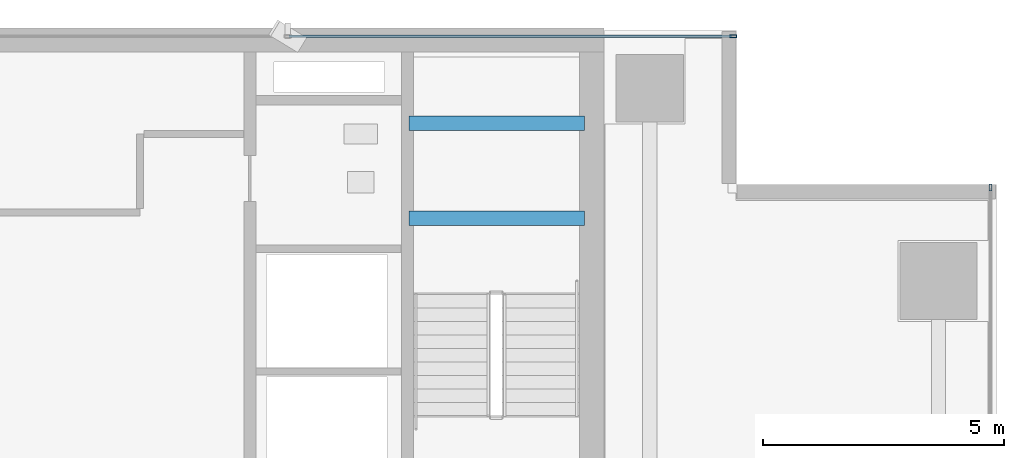
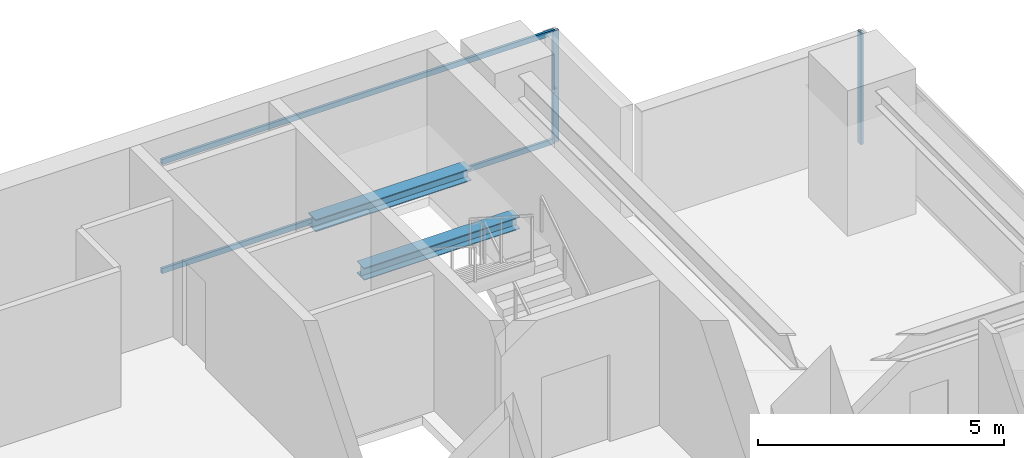
# One storey, part 22 of 30: 4 members, 2 beams, 2 elements without a shape of their own.
"""IFC4 building model written with IfcOpenShell, lengths in metres."""

import ifcopenshell
import ifcopenshell.guid

model = None  # the IFC model being written
_history = None  # IfcOwnerHistory: only IFC2X3 demands one
_inside = {}  # id of a spatial element -> (the spatial element, [elements in it])
_under = {}  # id of a project, library or spatial element -> (it, [spatial elements below it])
_declared = {}  # id of a project -> (the project, [libraries it declares])
_typed = {}  # id of a type object -> (the type object, [elements of that type])
_made_of = {}  # id of a material, layer set ... -> (it, [elements and type objects made of it])


def new_model(schema):
    """Start an empty IFC model of exactly this schema.

    Asked for "IFC4X3", IfcOpenShell would pick the latest addendum, in which some entities
    have other attributes; the version numbers below select the first issue.
    IFC2X3 requires an IfcOwnerHistory on every rooted entity: one is made here for all.
    """
    global model, _history
    if schema == "IFC4X3":
        model = ifcopenshell.file(schema_version=(4, 3, 0, 0))
    else:
        model = ifcopenshell.file(schema=schema)
    _inside.clear()
    _under.clear()
    _declared.clear()
    _typed.clear()
    _made_of.clear()
    _history = None
    if model.schema == "IFC2X3":
        org = make("IfcOrganization", Name="unknown")
        user = make(
            "IfcPersonAndOrganization",
            ThePerson=make("IfcPerson", FamilyName="unknown"),
            TheOrganization=org,
        )
        app = make(
            "IfcApplication",
            ApplicationDeveloper=org,
            Version="unknown",
            ApplicationFullName="unknown",
            ApplicationIdentifier="unknown",
        )
        _history = make(
            "IfcOwnerHistory",
            OwningUser=user,
            OwningApplication=app,
            ChangeAction="ADDED",
            CreationDate=0,
        )
    return model


def make(cls, **values):
    """One entity of the class cls with the attributes given. An attribute that is None is left unset."""
    return model.create_entity(
        cls, **{name: value for name, value in values.items() if value is not None}
    )


def rooted(cls, **values):
    """An entity with a GlobalId (a new one), such as an element, a storey or a relation."""
    return make(cls, GlobalId=ifcopenshell.guid.new(), OwnerHistory=_history, **values)


def si_unit(unit_type, name, prefix=None):
    """IfcSIUnit, for example si_unit("LENGTHUNIT", "METRE", prefix="MILLI")."""
    return make("IfcSIUnit", UnitType=unit_type, Prefix=prefix, Name=name)


def assignment(units):
    """IfcUnitAssignment: the units of a project."""
    return None if units is None else make("IfcUnitAssignment", Units=units)


def point(xyz):
    """IfcCartesianPoint."""
    return None if xyz is None else make("IfcCartesianPoint", Coordinates=xyz)


def direction(xyz):
    """IfcDirection."""
    return None if xyz is None else make("IfcDirection", DirectionRatios=xyz)


def frame(location, z_axis=None, x_axis=None):
    """IfcAxis2Placement3D, a coordinate frame: its origin and axes. An axis left out is left unset."""
    return make(
        "IfcAxis2Placement3D",
        Location=point(location),
        Axis=direction(z_axis),
        RefDirection=direction(x_axis),
    )


def frame_2d(location, x_axis=None):
    """IfcAxis2Placement2D, a coordinate frame in the plane: its origin and x axis."""
    return make(
        "IfcAxis2Placement2D", Location=point(location), RefDirection=direction(x_axis)
    )


def origin():
    """The frame at (0, 0, 0) with its axes left unset."""
    return frame((0.0, 0.0, 0.0))


def origin_2d():
    """The frame at (0, 0) in the plane with its x axis left unset."""
    return frame_2d((0.0, 0.0))


def place(relative_to, where):
    """IfcLocalPlacement: puts the frame where relative to a parent placement (None: the world)."""
    return make(
        "IfcLocalPlacement", PlacementRelTo=relative_to, RelativePlacement=where
    )


def context(
    kind, dimensions, precision=None, world=None, true_north=None, identifier=None
):
    """IfcGeometricRepresentationContext, for example the 3D "Model" context."""
    return make(
        "IfcGeometricRepresentationContext",
        ContextIdentifier=identifier,
        ContextType=kind,
        CoordinateSpaceDimension=dimensions,
        Precision=precision,
        WorldCoordinateSystem=world,
        TrueNorth=true_north,
    )


def subcontext(parent, identifier, kind, view, scale=None):
    """IfcGeometricRepresentationSubContext, for example "Body" below "Model"."""
    return make(
        "IfcGeometricRepresentationSubContext",
        ContextIdentifier=identifier,
        ContextType=kind,
        ParentContext=parent,
        TargetScale=scale,
        TargetView=view,
    )


def project(units=None, contexts=None):
    """IfcProject with its units and contexts."""
    return rooted(
        "IfcProject",
        Name="project",
        RepresentationContexts=contexts,
        UnitsInContext=assignment(units),
    )


def spatial(cls, under=None, at=None, **own):
    """A site, building, storey or space (cls), placed at a placement, below another one or the project."""
    s = rooted(cls, ObjectPlacement=at, **own)
    if under is not None:
        _under.setdefault(under.id(), (under, []))[1].append(s)
    return s


def profile(cls, at=None, kind="AREA", **sizes):
    """A parametric profile (cls). Its sizes go by their IFC names, for example OverallWidth=200.0."""
    return make(cls, ProfileType=kind, Position=at, **sizes)


def hollow_rectangle(**sizes):
    """IfcRectangleHollowProfileDef."""
    return profile("IfcRectangleHollowProfileDef", **sizes)


def i_section(**sizes):
    """IfcIShapeProfileDef."""
    return profile("IfcIShapeProfileDef", **sizes)


def extrude(swept, where, along, depth):
    """IfcExtrudedAreaSolid: the profile swept, set in the frame where, extruded along a direction by depth."""
    return make(
        "IfcExtrudedAreaSolid",
        SweptArea=swept,
        Position=where,
        ExtrudedDirection=direction(along),
        Depth=depth,
    )


def shape(context_of_items, identifier, shape_type, items):
    """IfcShapeRepresentation: the items that make up one representation, for example the "Body"."""
    return make(
        "IfcShapeRepresentation",
        ContextOfItems=context_of_items,
        RepresentationIdentifier=identifier,
        RepresentationType=shape_type,
        Items=items,
    )


def source(mapping_origin, context_of_items, identifier, shape_type, items):
    """IfcRepresentationMap: a shape defined once, which mapped items show again and again."""
    return make(
        "IfcRepresentationMap",
        MappingOrigin=mapping_origin,
        MappedRepresentation=shape(context_of_items, identifier, shape_type, items),
    )


def transform(
    local_origin,
    x_axis=None,
    y_axis=None,
    z_axis=None,
    scale=None,
    scale2=None,
    scale3=None,
    uniform=True,
):
    """IfcCartesianTransformationOperator3D, or its non-uniform kind. x_axis, y_axis, z_axis: its Axis1, 2, 3."""
    if uniform:
        return make(
            "IfcCartesianTransformationOperator3D",
            Axis1=direction(x_axis),
            Axis2=direction(y_axis),
            LocalOrigin=point(local_origin),
            Scale=scale,
            Axis3=direction(z_axis),
        )
    return make(
        "IfcCartesianTransformationOperator3DnonUniform",
        Axis1=direction(x_axis),
        Axis2=direction(y_axis),
        LocalOrigin=point(local_origin),
        Scale=scale,
        Axis3=direction(z_axis),
        Scale2=scale2,
        Scale3=scale3,
    )


def mapped(mapping_source, mapping_target):
    """IfcMappedItem: shows the shape of a source again, moved by a transform."""
    return make(
        "IfcMappedItem", MappingSource=mapping_source, MappingTarget=mapping_target
    )


def material(Name=None, Category=None):
    """IfcMaterial."""
    return make("IfcMaterial", Name=Name, Category=Category)


def layer(
    of_material, thickness, ventilated=None, Name=None, Category=None, Priority=None
):
    """IfcMaterialLayer: one layer of a wall or slab, of a material (None: an air gap)."""
    return make(
        "IfcMaterialLayer",
        Material=of_material,
        LayerThickness=thickness,
        IsVentilated=ventilated,
        Name=Name,
        Category=Category,
        Priority=Priority,
    )


def layer_set(layers, Name=None):
    """IfcMaterialLayerSet."""
    return make("IfcMaterialLayerSet", MaterialLayers=layers, LayerSetName=Name)


def material_profile(
    of_material, cross_section, Name=None, Category=None, Priority=None
):
    """IfcMaterialProfile: a cross section and its material."""
    return make(
        "IfcMaterialProfile",
        Name=Name,
        Material=of_material,
        Profile=cross_section,
        Priority=Priority,
        Category=Category,
    )


def profile_set(profiles, Name=None, composite=None):
    """IfcMaterialProfileSet."""
    return make(
        "IfcMaterialProfileSet",
        Name=Name,
        MaterialProfiles=profiles,
        CompositeProfile=composite,
    )


def made_of(thing, what):
    """Note that an element or type object is made of a material, layer set ...; save() writes the relation."""
    if what is not None:
        _made_of.setdefault(what.id(), (what, []))[1].append(thing)
    return thing


def type_object(cls, material=None, **own):
    """A type object (cls), such as IfcWallType, which elements share."""
    return made_of(rooted(cls, **own), material)


def element(
    cls,
    number,
    at=None,
    inside=None,
    cuts=None,
    type_object=None,
    material=None,
    context=None,
    identifier="Body",
    shape_type=None,
    held_by="IfcProductDefinitionShape",
    body=None,
    shapes=None,
    **own,
):
    """One element of the class cls, such as IfcWall. Its Tag is "e" and its number.

    at: its placement. inside: the storey or other place that contains it. cuts: it is an
    opening in that element (IfcRelVoidsElement). A single representation is given by context,
    identifier, shape_type and body (its items); several are given by shapes. held_by: the class
    of the entity that holds the representations. save() writes the other relations.
    """
    e = rooted(cls, Tag="e%d" % number, ObjectPlacement=at, **own)
    if body is not None:
        shapes = [shape(context, identifier, shape_type, body)]
    if shapes is not None:
        e.Representation = make(held_by, Representations=shapes)
    if inside is not None:
        _inside.setdefault(inside.id(), (inside, []))[1].append(e)
    if cuts is not None:
        rooted(
            "IfcRelVoidsElement", RelatingBuildingElement=cuts, RelatedOpeningElement=e
        )
    if type_object is not None:
        _typed.setdefault(type_object.id(), (type_object, []))[1].append(e)
    return made_of(e, material)


def aggregate(whole, parts):
    """IfcRelAggregates: a whole, such as a stair, and the parts it consists of."""
    return rooted("IfcRelAggregates", RelatingObject=whole, RelatedObjects=parts)


def save(model, path):
    """Write the relations noted so far, then the file.

    IfcRelAggregates (storeys below a building ...), IfcRelContainedInSpatialStructure (elements
    in a storey), IfcRelDefinesByType, IfcRelAssociatesMaterial and IfcRelDeclares: one each for
    every whole, place, type object, material and project.
    """
    for whole, parts in _under.values():
        aggregate(whole, parts)
    for where, things in _inside.values():
        rooted(
            "IfcRelContainedInSpatialStructure",
            RelatedElements=things,
            RelatingStructure=where,
        )
    for kind, things in _typed.values():
        rooted("IfcRelDefinesByType", RelatedObjects=things, RelatingType=kind)
    for what, things in _made_of.values():
        rooted("IfcRelAssociatesMaterial", RelatedObjects=things, RelatingMaterial=what)
    for by, libraries in _declared.values():
        rooted("IfcRelDeclares", RelatingContext=by, RelatedDefinitions=libraries)
    model.write(path)


model = new_model("IFC4")

# Units and contexts
model_context = context("Model", 3, precision=1e-05, world=origin(), true_north=direction((0.0, 1.0)))
body_context = subcontext(model_context, "Body", "Model", "MODEL_VIEW")
ifc_project = project(units=[si_unit("LENGTHUNIT", "METRE"), si_unit("AREAUNIT", "SQUARE_METRE"), si_unit("VOLUMEUNIT", "CUBIC_METRE"), si_unit("PLANEANGLEUNIT", "RADIAN"), si_unit("MASSUNIT", "GRAM", prefix="KILO")], contexts=[model_context])

# Site, building, storey
site_placement = place(None, origin())
site = spatial("IfcSite", under=ifc_project, at=site_placement, CompositionType="ELEMENT")
building_placement = place(site_placement, origin())
building = spatial("IfcBuilding", under=site, at=building_placement, Name="Sumidabori Civic Tower", CompositionType="ELEMENT")
storey_placement = place(building_placement, frame((0.0, 0.0, 200.0)))
storey = spatial("IfcBuildingStorey", under=building, at=storey_placement, Name="L51", CompositionType="ELEMENT", Elevation=200.0)

# Beams
ifc_material_1 = material(Name="Steel SN490", Category="steel")
ifc_material_profile_1 = material_profile(ifc_material_1, i_section(OverallWidth=0.300048828125, OverallDepth=0.300048828125, WebThickness=0.010986328125, FlangeThickness=0.01904296875, at=origin_2d()), Name="HE 300 B")
ifc_profile_set_1 = profile_set([ifc_material_profile_1], Name="Steel SN490")
beam_type = type_object("IfcBeamType", Name="BM-LDG-300", PredefinedType="BEAM", material=ifc_profile_set_1)
shared_shape_1 = source(origin(), body_context, "Body", "SweptSolid", [
    extrude(i_section(OverallWidth=0.300048828125, OverallDepth=0.300048828125, WebThickness=0.010986328125, FlangeThickness=0.01904296875, at=origin_2d()), origin(), (0.0, 0.0, 1.0), 3.64990234375),
])
for number, where, z_axis, x_axis, name in (
    (1, (11.800048828125, 20.09765625, 1.449951171875), (1.0, 0.0, 0.0), (0.0, 1.0, 0.0), "Stair ST-2 Landing Support Beam L51-1A"),
    (2, (11.800048828125, 22.069580078125, 1.449951171875), (1.0, 0.0, 0.0), (0.0, 1.0, 0.0), "Stair ST-2 Landing Trimmer Beam L51-1B"),
):
    element("IfcBeam", number, at=place(storey_placement, frame(where, z_axis=z_axis, x_axis=x_axis)), inside=storey, type_object=beam_type, Name=name, PredefinedType="BEAM", context=body_context, shape_type="MappedRepresentation", body=[
        mapped(shared_shape_1, transform((0.0, 0.0, 0.0), x_axis=(1.0, 0.0, 0.0), y_axis=(0.0, 1.0, 0.0), z_axis=(0.0, 0.0, 1.0), scale=1.0)),
    ])

# Curtain wall, member
ifc_material_2 = material(Name="Anodised Bronze Aluminium AW-6063-T6", Category="aluminium")
ifc_layer = layer(ifc_material_2, 0.179931640625, Name="Anodised Bronze Aluminium AW-6063-T6")
ifc_layer_set = layer_set([ifc_layer], Name="Anodised Bronze Aluminium AW-6063-T6")
curtain_wall_type = type_object("IfcCurtainWallType", Name="CW-SYS-5", PredefinedType="NOTDEFINED", material=ifc_layer_set)
curtain_wall_1_placement = place(storey_placement, origin())
curtain_wall_1 = element("IfcCurtainWall", 3, at=curtain_wall_1_placement, inside=storey, type_object=curtain_wall_type, Name="Curtain Wall CW:L51:R10", PredefinedType="NOTDEFINED")
ifc_material_profile_2 = material_profile(ifc_material_2, hollow_rectangle(XDim=0.06005859375, YDim=0.139892578125, WallThickness=0.0048828125, at=origin_2d()), Name="ALU MULLION 140x60")
ifc_profile_set_2 = profile_set([ifc_material_profile_2], Name="Anodised Bronze Aluminium AW-6063-T6")
member_type_1 = type_object("IfcMemberType", Name="CW-MUL-140", PredefinedType="MULLION", material=ifc_profile_set_2)
shared_shape_2 = source(origin(), body_context, "Body", "SweptSolid", [
    extrude(hollow_rectangle(XDim=0.06005859375, YDim=0.139892578125, WallThickness=0.0048828125, at=origin_2d()), origin(), (0.0, 0.0, 1.0), 2.760009765625),
])
member_1_placement = place(storey_placement, frame((23.8798828125, 20.739990234375, 0.0), z_axis=(0.0, 0.0, 1.0), x_axis=(-1.0, 0.0, 0.0)))
member_1 = element("IfcMember", 4, at=member_1_placement, type_object=member_type_1, Name="CW-5 mullion 5", PredefinedType="MULLION", context=body_context, shape_type="MappedRepresentation", body=[
    mapped(shared_shape_2, transform((0.0, 0.0, 0.0), x_axis=(1.0, 0.0, 0.0), y_axis=(0.0, 1.0, 0.0), z_axis=(0.0, 0.0, 1.0), scale=1.0)),
])
aggregate(curtain_wall_1, [member_1])

# Curtain wall, members
curtain_wall_2_placement = place(storey_placement, origin())
curtain_wall_2 = element("IfcCurtainWall", 5, at=curtain_wall_2_placement, inside=storey, type_object=curtain_wall_type, Name="Curtain Wall CW:L51:R13", PredefinedType="NOTDEFINED")
member_2_placement = place(storey_placement, frame((18.5400390625, 23.8798828125, 0.0), z_axis=(0.0, 0.0, 1.0), x_axis=(0.0, -1.0, 0.0)))
member_2 = element("IfcMember", 6, at=member_2_placement, type_object=member_type_1, Name="CW-5 mullion 1", PredefinedType="MULLION", context=body_context, shape_type="MappedRepresentation", body=[
    mapped(shared_shape_2, transform((0.0, 0.0, 0.0), x_axis=(1.0, 0.0, 0.0), y_axis=(0.0, 1.0, 0.0), z_axis=(0.0, 0.0, 1.0), scale=1.0)),
])
ifc_material_profile_3 = material_profile(ifc_material_2, hollow_rectangle(XDim=0.06005859375, YDim=0.1298828125, WallThickness=0.0048828125, at=origin_2d()), Name="ALU TRANSOM 130x60")
ifc_profile_set_3 = profile_set([ifc_material_profile_3], Name="Anodised Bronze Aluminium AW-6063-T6")
member_type_2 = type_object("IfcMemberType", Name="CW-TRN-130", PredefinedType="USERDEFINED", material=ifc_profile_set_3)
shared_shape_3 = source(origin(), body_context, "Body", "SweptSolid", [
    extrude(hollow_rectangle(XDim=0.06005859375, YDim=0.1298828125, WallThickness=0.0048828125, at=origin_2d()), origin(), (0.0, 0.0, 1.0), 9.195068359375),
])
member_3_placement = place(storey_placement, frame((18.510009765625, 23.8798828125, 0.030029296875), z_axis=(-1.0, 0.0, 0.0), x_axis=(0.0, -1.0, 0.0)))
member_3 = element("IfcMember", 7, at=member_3_placement, type_object=member_type_2, Name="CW-5 transom 1.1", ObjectType="TRANSOM", PredefinedType="USERDEFINED", context=body_context, shape_type="MappedRepresentation", body=[
    mapped(shared_shape_3, transform((0.0, 0.0, 0.0), x_axis=(1.0, 0.0, 0.0), y_axis=(0.0, 1.0, 0.0), z_axis=(0.0, 0.0, 1.0), scale=1.0)),
])
member_4_placement = place(storey_placement, frame((18.510009765625, 23.8798828125, 2.72998046875), z_axis=(-1.0, 0.0, 0.0), x_axis=(0.0, -1.0, 0.0)))
member_4 = element("IfcMember", 8, at=member_4_placement, type_object=member_type_2, Name="CW-5 transom 1.2", ObjectType="TRANSOM", PredefinedType="USERDEFINED", context=body_context, shape_type="MappedRepresentation", body=[
    mapped(shared_shape_3, transform((0.0, 0.0, 0.0), x_axis=(1.0, 0.0, 0.0), y_axis=(0.0, 1.0, 0.0), z_axis=(0.0, 0.0, 1.0), scale=1.0)),
])
aggregate(curtain_wall_2, [member_2, member_3, member_4])

save(model, "model.ifc")
